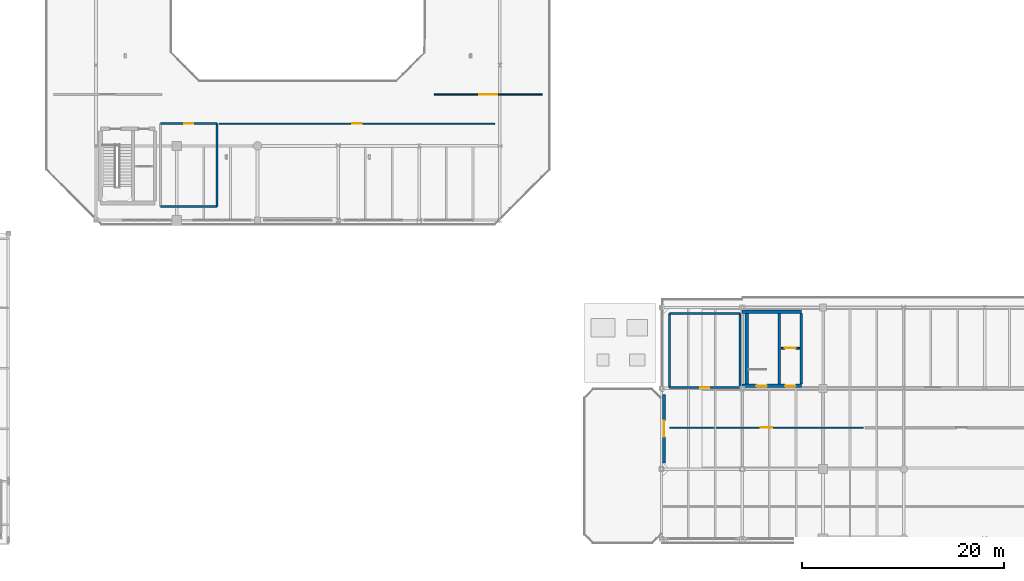
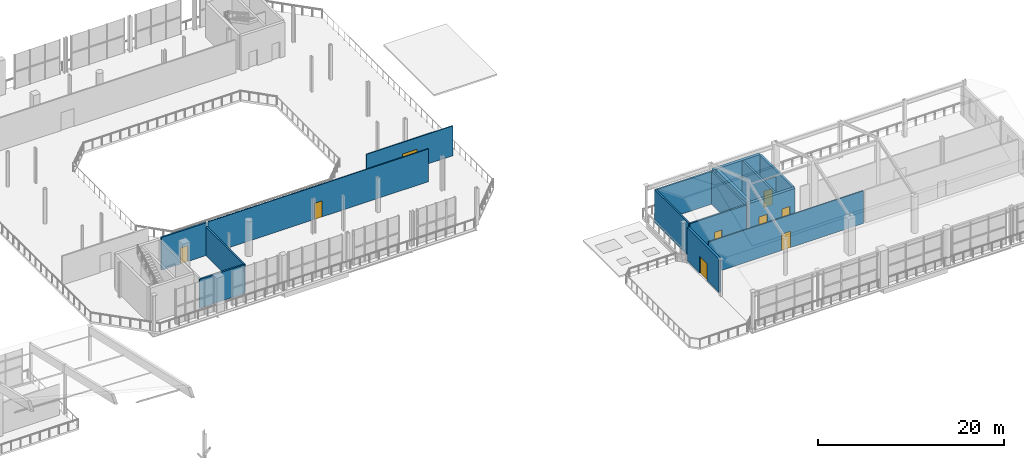
# One storey, part 35 of 51: 17 walls, 9 doors, 9 openings.
"""IFC4 building model written with IfcOpenShell, lengths in metres."""

from ifc_helpers import new_model, si_unit, direction, frame, frame_2d, origin, place, context, subcontext, project, spatial, rectangle, extrude, material, layer, layer_set, type_object, element, fill, save


model = new_model("IFC4")

# Units and contexts
model_context = context("Model", 3, precision=1e-05, world=origin(), true_north=direction((0.0, 1.0)))
body_context = subcontext(model_context, "Body", "Model", "MODEL_VIEW")
ifc_project = project(units=[si_unit("LENGTHUNIT", "METRE"), si_unit("AREAUNIT", "SQUARE_METRE"), si_unit("VOLUMEUNIT", "CUBIC_METRE"), si_unit("PLANEANGLEUNIT", "RADIAN"), si_unit("MASSUNIT", "GRAM", prefix="KILO")], contexts=[model_context])

# Site, building, storey
site_placement = place(None, origin())
site = spatial("IfcSite", under=ifc_project, at=site_placement, CompositionType="ELEMENT")
building_placement = place(site_placement, origin())
building = spatial("IfcBuilding", under=site, at=building_placement, Name="Brisemont Oceanarium", CompositionType="ELEMENT")
storey_placement = place(building_placement, frame((0.0, 0.0, 15.0)))
storey = spatial("IfcBuildingStorey", under=building, at=storey_placement, Name="L03", CompositionType="ELEMENT", Elevation=15.0)

# Wall, opening, door
ifc_material_1 = material(Name="Beaux-Arts Limestone Cladding Precast Concrete C40/50", Category="masonry")
ifc_layer_1 = layer(ifc_material_1, 0.280029296875)
ifc_layer_set_1 = layer_set([ifc_layer_1], Name="Beaux-Arts Limestone Cladding Precast Concrete C40/50")
wall_type_1 = type_object("IfcWallType", Name="EW-LIME-280", PredefinedType="STANDARD", material=ifc_layer_set_1)
wall_1_placement = place(storey_placement, frame((120.25, 8.60009765625, 0.0), z_axis=(0.0, 0.0, 1.0), x_axis=(0.0, 1.0, 0.0)))
wall_1 = element("IfcWall", 1, at=wall_1_placement, inside=storey, type_object=wall_type_1, Name="Beaux-Arts exterior wall EW-V3TER-L03-1", PredefinedType="STANDARD", context=body_context, shape_type="SweptSolid", body=[
    extrude(rectangle(XDim=6.7998046875, YDim=0.280029296875, at=frame_2d((3.39990234375, 0.0))), origin(), (0.0, 0.0, 1.0), 4.39990234375),
])
opening_1_placement = place(wall_1_placement, frame((2.60009765625, 0.0, 0.0)))
opening_1 = element("IfcOpeningElement", 2, at=opening_1_placement, cuts=wall_1, Name="Opening ED-01", PredefinedType="OPENING", context=body_context, shape_type="SweptSolid", body=[
    extrude(rectangle(XDim=1.60009765625, YDim=2.25, at=frame_2d((0.800048828125, 1.125))), frame((0.0, 0.14990234375, 0.0), z_axis=(0.0, -1.0, 0.0), x_axis=(1.0, 0.0, 0.0)), (0.0, 0.0, 1.0), 0.300048828125),
])
ifc_material_2 = material(Name="Anodized Extruded Aluminum 6063-T6", Category="aluminium")
door_type_1 = type_object("IfcDoorType", Name="DR-TER-1600X2250", OperationType="NOTDEFINED", PredefinedType="DOOR", material=ifc_material_2)
door_1_placement = place(opening_1_placement, origin())
door_1 = element("IfcDoor", 3, at=door_1_placement, inside=storey, type_object=door_type_1, Name="ED-01 exterior entrance door 2", OperationType="SINGLE_SWING_LEFT", OverallHeight=2.25, OverallWidth=1.60009765625, PredefinedType="DOOR", context=body_context, shape_type="SweptSolid", body=[
    extrude(rectangle(XDim=1.60009765625, YDim=2.25, at=frame_2d((0.800048828125, 1.125))), frame((0.0, 0.02490234375, 0.0), z_axis=(0.0, -1.0, 0.0), x_axis=(1.0, 0.0, 0.0)), (0.0, 0.0, 1.0), 0.050048828125),
])
fill(opening_1, door_1)

ifc_material_3 = material(Name="Moisture-Resistant Gypsum Steel-Stud Partition", Category="steel")
ifc_layer_2 = layer(ifc_material_3, 0.159912109375)
ifc_layer_set_2 = layer_set([ifc_layer_2], Name="Moisture-Resistant Gypsum Steel-Stud Partition")
wall_type_2 = type_object("IfcWallType", Name="IW-FB-160", PredefinedType="PARTITIONING", material=ifc_layer_set_2)
wall_2_placement = place(storey_placement, frame((131.85009765625, 19.969970703125, 0.0), z_axis=(0.0, 0.0, 1.0), x_axis=(1.0, 0.0, 0.0)))
wall_2 = element("IfcWall", 4, at=wall_2_placement, inside=storey, type_object=wall_type_2, Name="Core C4 L03 lift hoistway front wall", PredefinedType="PARTITIONING", context=body_context, shape_type="SweptSolid", body=[
    extrude(rectangle(XDim=1.83984375, YDim=0.159912109375, at=frame_2d((0.919921875, 0.0))), origin(), (0.0, 0.0, 1.0), 3.60009765625),
])
opening_2_placement = place(wall_2_placement, frame((0.3701171875, 0.0, 0.0)))
opening_2 = element("IfcOpeningElement", 5, at=opening_2_placement, cuts=wall_2, Name="Opening LD-01", PredefinedType="OPENING", context=body_context, shape_type="SweptSolid", body=[
    extrude(rectangle(XDim=1.10009765625, YDim=2.14990234375, at=frame_2d((0.550048828125, 1.074951171875))), frame((0.0, 0.08984375, 0.0), z_axis=(0.0, -1.0, 0.0), x_axis=(1.0, 0.0, 0.0)), (0.0, 0.0, 1.0), 0.179931640625),
])
ifc_material_4 = material(Name="Duplex Stainless Steel EN 1.4462", Category="steel")
door_type_2 = type_object("IfcDoorType", Name="DR-LIFT-1100X2150", OperationType="NOTDEFINED", PredefinedType="DOOR", material=ifc_material_4)
door_2_placement = place(opening_2_placement, origin())
door_2 = element("IfcDoor", 6, at=door_2_placement, inside=storey, type_object=door_type_2, Name="Lift landing door LF-04 L03", OperationType="SLIDING_TO_LEFT", OverallHeight=2.14990234375, OverallWidth=1.10009765625, PredefinedType="DOOR", context=body_context, shape_type="SweptSolid", body=[
    extrude(rectangle(XDim=1.10009765625, YDim=2.14990234375, at=frame_2d((0.550048828125, 1.074951171875))), frame((0.0, 0.02490234375, 0.0), z_axis=(0.0, -1.0, 0.0), x_axis=(1.0, 0.0, 0.0)), (0.0, 0.0, 1.0), 0.050048828125),
])
fill(opening_2, door_2)

ifc_material_5 = material(Name="Moisture-Resistant Gypsum Steel-Stud Partition", Category="steel")
ifc_layer_3 = layer(ifc_material_5, 0.1201171875)
ifc_layer_set_3 = layer_set([ifc_layer_3], Name="Moisture-Resistant Gypsum Steel-Stud Partition")
wall_type_3 = type_object("IfcWallType", Name="IW-PART-120", PredefinedType="PARTITIONING", material=ifc_layer_set_3)
wall_3_placement = place(storey_placement, frame((76.199951171875, 42.199951171875, 0.0), z_axis=(0.0, 0.0, 1.0), x_axis=(1.0, 0.0, 0.0)))
wall_3 = element("IfcWall", 7, at=wall_3_placement, inside=storey, type_object=wall_type_3, Name="Ocean Tank Canopy Panorama Exhibit Gallery corridor partition", PredefinedType="PARTITIONING", context=body_context, shape_type="SweptSolid", body=[
    extrude(rectangle(XDim=27.300048828125, YDim=0.1201171875, at=frame_2d((13.64990234375, 0.0))), origin(), (0.0, 0.0, 1.0), 4.2900390625),
])
opening_3_placement = place(wall_3_placement, frame((13.169921875, 0.0, 0.0)))
opening_3 = element("IfcOpeningElement", 8, at=opening_3_placement, cuts=wall_3, Name="Opening D-02", PredefinedType="OPENING", context=body_context, shape_type="SweptSolid", body=[
    extrude(rectangle(XDim=0.9599609375, YDim=2.10009765625, at=frame_2d((0.47998046875, 1.050048828125))), frame((0.0, 0.070068359375, 0.0), z_axis=(0.0, -1.0, 0.0), x_axis=(1.0, 0.0, 0.0)), (0.0, 0.0, 1.0), 0.14013671875),
])
ifc_material_6 = material(Name="FSC White Oak Solid-Core Fire Door")
door_type_3 = type_object("IfcDoorType", Name="DR-RM-960X2100", OperationType="NOTDEFINED", PredefinedType="DOOR", material=ifc_material_6)
door_3_placement = place(opening_3_placement, origin())
door_3 = element("IfcDoor", 9, at=door_3_placement, inside=storey, type_object=door_type_3, Name="D-02 door to Ocean Tank Canopy Panorama Exhibit Gallery", OperationType="SINGLE_SWING_LEFT", OverallHeight=2.10009765625, OverallWidth=0.9599609375, PredefinedType="DOOR", context=body_context, shape_type="SweptSolid", body=[
    extrude(rectangle(XDim=0.9599609375, YDim=2.10009765625, at=frame_2d((0.47998046875, 1.050048828125))), frame((0.0, 0.02490234375, 0.0), z_axis=(0.0, -1.0, 0.0), x_axis=(1.0, 0.0, 0.0)), (0.0, 0.0, 1.0), 0.050048828125),
])
fill(opening_3, door_3)

wall_4_placement = place(storey_placement, frame((97.5, 45.10009765625, 0.0), z_axis=(0.0, 0.0, 1.0), x_axis=(1.0, 0.0, 0.0)))
wall_4 = element("IfcWall", 10, at=wall_4_placement, inside=storey, type_object=wall_type_3, Name="Marine Cartography History Exhibit Gallery corridor partition", PredefinedType="PARTITIONING", context=body_context, shape_type="SweptSolid", body=[
    extrude(rectangle(XDim=10.699951171875, YDim=0.1201171875, at=frame_2d((5.35009765625, 0.0))), origin(), (0.0, 0.0, 1.0), 3.91796875),
])
opening_4_placement = place(wall_4_placement, frame((4.449951171875, 0.0, 0.0)))
opening_4 = element("IfcOpeningElement", 11, at=opening_4_placement, cuts=wall_4, Name="Opening GD-01", PredefinedType="OPENING", context=body_context, shape_type="SweptSolid", body=[
    extrude(rectangle(XDim=1.800048828125, YDim=2.39990234375, at=frame_2d((0.89990234375, 1.199951171875))), frame((0.0, 0.070068359375, 0.0), z_axis=(0.0, -1.0, 0.0), x_axis=(1.0, 0.0, 0.0)), (0.0, 0.0, 1.0), 0.14013671875),
])
ifc_material_7 = material(Name="Patinated Architectural Bronze C38500")
door_type_4 = type_object("IfcDoorType", Name="DR-GAL-1800X2400", OperationType="NOTDEFINED", PredefinedType="DOOR", material=ifc_material_7)
door_4_placement = place(opening_4_placement, origin())
door_4 = element("IfcDoor", 12, at=door_4_placement, inside=storey, type_object=door_type_4, Name="GD-01 door to Marine Cartography History Exhibit Gallery", OperationType="SINGLE_SWING_LEFT", OverallHeight=2.39990234375, OverallWidth=1.800048828125, PredefinedType="DOOR", context=body_context, shape_type="SweptSolid", body=[
    extrude(rectangle(XDim=1.800048828125, YDim=2.39990234375, at=frame_2d((0.89990234375, 1.199951171875))), frame((0.0, 0.02490234375, 0.0), z_axis=(0.0, -1.0, 0.0), x_axis=(1.0, 0.0, 0.0)), (0.0, 0.0, 1.0), 0.050048828125),
])
fill(opening_4, door_4)

wall_5_placement = place(storey_placement, frame((120.800048828125, 12.10009765625, 0.0), z_axis=(0.0, 0.0, 1.0), x_axis=(1.0, 0.0, 0.0)))
wall_5 = element("IfcWall", 13, at=wall_5_placement, inside=storey, type_object=wall_type_3, Name="Education Centre Marine Periodicals Reading Hall corridor partition", PredefinedType="PARTITIONING", context=body_context, shape_type="SweptSolid", body=[
    extrude(rectangle(XDim=19.199951171875, YDim=0.1201171875, at=frame_2d((9.60009765625, 0.0))), origin(), (0.0, 0.0, 1.0), 4.2900390625),
])
opening_5_placement = place(wall_5_placement, frame((9.0400390625, 0.0, 0.0)))
opening_5 = element("IfcOpeningElement", 14, at=opening_5_placement, cuts=wall_5, Name="Opening LB-03", PredefinedType="OPENING", context=body_context, shape_type="SweptSolid", body=[
    extrude(rectangle(XDim=1.1201171875, YDim=2.14990234375, at=frame_2d((0.56005859375, 1.074951171875))), frame((0.0, 0.070068359375, 0.0), z_axis=(0.0, -1.0, 0.0), x_axis=(1.0, 0.0, 0.0)), (0.0, 0.0, 1.0), 0.14013671875),
])
ifc_material_8 = material(Name="Duplex Stainless Steel EN 1.4462", Category="steel")
door_type_5 = type_object("IfcDoorType", Name="DR-LAB-1120X2150", OperationType="NOTDEFINED", PredefinedType="DOOR", material=ifc_material_8)
door_5_placement = place(opening_5_placement, origin())
door_5 = element("IfcDoor", 15, at=door_5_placement, inside=storey, type_object=door_type_5, Name="LB-03 door to Education Centre Marine Periodicals Reading Hall", OperationType="SINGLE_SWING_LEFT", OverallHeight=2.14990234375, OverallWidth=1.1201171875, PredefinedType="DOOR", context=body_context, shape_type="SweptSolid", body=[
    extrude(rectangle(XDim=1.1201171875, YDim=2.14990234375, at=frame_2d((0.56005859375, 1.074951171875))), frame((0.0, 0.02490234375, 0.0), z_axis=(0.0, -1.0, 0.0), x_axis=(1.0, 0.0, 0.0)), (0.0, 0.0, 1.0), 0.050048828125),
])
fill(opening_5, door_5)

ifc_material_9 = material(Name="Cementitious Tile-Backer Plumbing Wall")
ifc_layer_4 = layer(ifc_material_9, 0.199951171875)
ifc_layer_set_4 = layer_set([ifc_layer_4], Name="Cementitious Tile-Backer Plumbing Wall")
wall_type_4 = type_object("IfcWallType", Name="IW-PLUMB-200", PredefinedType="PLUMBINGWALL", material=ifc_layer_set_4)
wall_6_placement = place(storey_placement, frame((70.39990234375, 42.199951171875, 0.0), z_axis=(0.0, 0.0, 1.0), x_axis=(1.0, 0.0, 0.0)))
wall_6 = element("IfcWall", 16, at=wall_6_placement, inside=storey, type_object=wall_type_4, Name="Accessible WC corridor partition", PredefinedType="PLUMBINGWALL", context=body_context, shape_type="SweptSolid", body=[
    extrude(rectangle(XDim=5.60009765625, YDim=0.199951171875, at=frame_2d((2.800048828125, 0.0))), origin(), (0.0, 0.0, 1.0), 4.2900390625),
])
opening_6_placement = place(wall_6_placement, frame((2.344970703125, 0.0, 0.0)))
opening_6 = element("IfcOpeningElement", 17, at=opening_6_placement, cuts=wall_6, Name="Opening D-03", PredefinedType="OPENING", context=body_context, shape_type="SweptSolid", body=[
    extrude(rectangle(XDim=0.909912109375, YDim=2.10009765625, at=frame_2d((0.455078125, 1.050048828125))), frame((0.0, 0.10986328125, 0.0), z_axis=(0.0, -1.0, 0.0), x_axis=(1.0, 0.0, 0.0)), (0.0, 0.0, 1.0), 0.219970703125),
])
ifc_material_10 = material(Name="FSC White Oak Solid-Core Fire Door")
door_type_6 = type_object("IfcDoorType", Name="DR-WC-910X2100", OperationType="NOTDEFINED", PredefinedType="DOOR", material=ifc_material_10)
door_6_placement = place(opening_6_placement, origin())
door_6 = element("IfcDoor", 18, at=door_6_placement, inside=storey, type_object=door_type_6, Name="D-03 door to Accessible WC", OperationType="SINGLE_SWING_RIGHT", OverallHeight=2.10009765625, OverallWidth=0.909912109375, PredefinedType="DOOR", context=body_context, shape_type="SweptSolid", body=[
    extrude(rectangle(XDim=0.909912109375, YDim=2.10009765625, at=frame_2d((0.455078125, 1.050048828125))), frame((0.0, 0.02490234375, 0.0), z_axis=(0.0, -1.0, 0.0), x_axis=(1.0, 0.0, 0.0)), (0.0, 0.0, 1.0), 0.050048828125),
])
fill(opening_6, door_6)

# Walls
wall_7_placement = place(storey_placement, frame((70.39990234375, 34.0, 0.0), z_axis=(0.0, 0.0, 1.0), x_axis=(1.0, 0.0, 0.0)))
element("IfcWall", 19, at=wall_7_placement, inside=storey, type_object=wall_type_4, Name="Accessible WC enclosure wall S", PredefinedType="PLUMBINGWALL", context=body_context, shape_type="SweptSolid", body=[
    extrude(rectangle(XDim=5.60009765625, YDim=0.199951171875, at=frame_2d((2.800048828125, 0.0))), origin(), (0.0, 0.0, 1.0), 3.76708984375),
])
wall_8_placement = place(storey_placement, frame((76.0, 34.0, 0.0), z_axis=(0.0, 0.0, 1.0), x_axis=(0.0, 1.0, 0.0)))
element("IfcWall", 20, at=wall_8_placement, inside=storey, type_object=wall_type_4, Name="Accessible WC enclosure wall E", PredefinedType="PLUMBINGWALL", context=body_context, shape_type="SweptSolid", body=[
    extrude(rectangle(XDim=8.199951171875, YDim=0.199951171875, at=frame_2d((4.10009765625, 0.0))), origin(), (0.0, 0.0, 1.0), 3.758056640625),
])

# Wall, opening, door
wall_9_placement = place(storey_placement, frame((120.800048828125, 16.10009765625, 0.0), z_axis=(0.0, 0.0, 1.0), x_axis=(1.0, 0.0, 0.0)))
wall_9 = element("IfcWall", 21, at=wall_9_placement, inside=storey, type_object=wall_type_4, Name="Accessible WC corridor partition", PredefinedType="PLUMBINGWALL", context=body_context, shape_type="SweptSolid", body=[
    extrude(rectangle(XDim=7.0, YDim=0.199951171875, at=frame_2d((3.5, 0.0))), origin(), (0.0, 0.0, 1.0), 4.2900390625),
])
opening_7_placement = place(wall_9_placement, frame((3.044921875, 0.0, 0.0)))
opening_7 = element("IfcOpeningElement", 22, at=opening_7_placement, cuts=wall_9, Name="Opening D-03", PredefinedType="OPENING", context=body_context, shape_type="SweptSolid", body=[
    extrude(rectangle(XDim=0.909912109375, YDim=2.10009765625, at=frame_2d((0.455078125, 1.050048828125))), frame((0.0, 0.10986328125, 0.0), z_axis=(0.0, -1.0, 0.0), x_axis=(1.0, 0.0, 0.0)), (0.0, 0.0, 1.0), 0.219970703125),
])
door_7_placement = place(opening_7_placement, origin())
door_7 = element("IfcDoor", 23, at=door_7_placement, inside=storey, type_object=door_type_6, Name="D-03 door to Accessible WC", OperationType="SINGLE_SWING_LEFT", OverallHeight=2.10009765625, OverallWidth=0.909912109375, PredefinedType="DOOR", context=body_context, shape_type="SweptSolid", body=[
    extrude(rectangle(XDim=0.909912109375, YDim=2.10009765625, at=frame_2d((0.455078125, 1.050048828125))), frame((0.0, 0.02490234375, 0.0), z_axis=(0.0, -1.0, 0.0), x_axis=(1.0, 0.0, 0.0)), (0.0, 0.0, 1.0), 0.050048828125),
])
fill(opening_7, door_7)

# Walls
wall_10_placement = place(storey_placement, frame((120.800048828125, 23.39990234375, 0.0), z_axis=(0.0, 0.0, 1.0), x_axis=(1.0, 0.0, 0.0)))
element("IfcWall", 24, at=wall_10_placement, inside=storey, type_object=wall_type_4, Name="Accessible WC enclosure wall N", PredefinedType="PLUMBINGWALL", context=body_context, shape_type="SweptSolid", body=[
    extrude(rectangle(XDim=7.0, YDim=0.199951171875, at=frame_2d((3.5, 0.0))), origin(), (0.0, 0.0, 1.0), 4.2900390625),
])
for number, where, z_axis, x_axis, name in (
    (25, (120.800048828125, 16.10009765625, 0.0), (0.0, 0.0, 1.0), (0.0, 1.0, 0.0), "Accessible WC enclosure wall W"),
    (26, (127.800048828125, 16.10009765625, 0.0), (0.0, 0.0, 1.0), (0.0, 1.0, 0.0), "Accessible WC enclosure wall E"),
):
    element("IfcWall", number, at=place(storey_placement, frame(where, z_axis=z_axis, x_axis=x_axis)), inside=storey, type_object=wall_type_4, Name=name, PredefinedType="PLUMBINGWALL", context=body_context, shape_type="SweptSolid", body=[
        extrude(rectangle(XDim=7.2998046875, YDim=0.199951171875, at=frame_2d((3.64990234375, 0.0))), origin(), (0.0, 0.0, 1.0), 4.2900390625),
    ])
ifc_material_11 = material(Name="Concrete C40/50", Category="concrete")
ifc_layer_5 = layer(ifc_material_11, 0.260009765625)
ifc_layer_set_5 = layer_set([ifc_layer_5], Name="Concrete C40/50")
wall_type_5 = type_object("IfcWallType", Name="SW-SHAFT-260", PredefinedType="SHEAR", material=ifc_layer_set_5)
for number, where, z_axis, x_axis, name in (
    (27, (133.85009765625, 16.449951171875, 0.0), (0.0, 0.0, 1.0), (0.0, 1.0, 0.0), "Core C4 L03 E RC shear wall"),
    (28, (131.669921875, 16.449951171875, 0.0), (0.0, 0.0, 1.0), (0.0, 1.0, 0.0), "Core C4 L03 MID RC shear wall"),
):
    element("IfcWall", number, at=place(storey_placement, frame(where, z_axis=z_axis, x_axis=x_axis)), inside=storey, type_object=wall_type_5, Name=name, PredefinedType="SHEAR", context=body_context, shape_type="SweptSolid", body=[
        extrude(rectangle(XDim=6.949951171875, YDim=0.260009765625, at=frame_2d((3.47509765625, 0.0))), origin(), (0.0, 0.0, 1.0), 4.300048828125),
    ])

# Wall, openings, doors
ifc_material_12 = material(Name="Concrete C40/50", Category="concrete")
ifc_layer_6 = layer(ifc_material_12, 0.35009765625)
ifc_layer_set_6 = layer_set([ifc_layer_6], Name="Concrete C40/50")
wall_type_6 = type_object("IfcWallType", Name="SW-STAIR-350", PredefinedType="SHEAR", material=ifc_layer_set_6)
wall_11_placement = place(storey_placement, frame((128.0, 16.25, 0.0), z_axis=(0.0, 0.0, 1.0), x_axis=(1.0, 0.0, 0.0)))
wall_11 = element("IfcWall", 29, at=wall_11_placement, inside=storey, type_object=wall_type_6, Name="Core C4 L03 corridor RC shear wall", PredefinedType="SHEAR", context=body_context, shape_type="SweptSolid", body=[
    extrude(rectangle(XDim=5.85009765625, YDim=0.35009765625, at=frame_2d((2.925048828125, 0.0))), origin(), (0.0, 0.0, 1.0), 4.300048828125),
])
opening_8_placement = place(wall_11_placement, frame((1.39990234375, 0.0, 0.0)))
opening_8 = element("IfcOpeningElement", 30, at=opening_8_placement, cuts=wall_11, Name="Opening SD-02", PredefinedType="OPENING", context=body_context, shape_type="SweptSolid", body=[
    extrude(rectangle(XDim=1.050048828125, YDim=2.10009765625, at=frame_2d((0.52490234375, 1.050048828125))), frame((0.0, 0.18505859375, 0.0), z_axis=(0.0, -1.0, 0.0), x_axis=(1.0, 0.0, 0.0)), (0.0, 0.0, 1.0), 0.3701171875),
])
opening_9_placement = place(wall_11_placement, frame((4.25, 0.0, 0.0)))
opening_9 = element("IfcOpeningElement", 31, at=opening_9_placement, cuts=wall_11, Name="Opening FD90-2", PredefinedType="OPENING", context=body_context, shape_type="SweptSolid", body=[
    extrude(rectangle(XDim=1.0, YDim=2.14990234375, at=frame_2d((0.5, 1.074951171875))), frame((0.0, 0.18505859375, 0.0), z_axis=(0.0, -1.0, 0.0), x_axis=(1.0, 0.0, 0.0)), (0.0, 0.0, 1.0), 0.3701171875),
])
ifc_material_13 = material(Name="FSC White Oak Solid-Core Fire Door")
door_type_7 = type_object("IfcDoorType", Name="DR-LOB-1000X2150", OperationType="NOTDEFINED", PredefinedType="DOOR", material=ifc_material_13)
door_8_placement = place(opening_9_placement, origin())
door_8 = element("IfcDoor", 32, at=door_8_placement, inside=storey, type_object=door_type_7, Name="Lift lobby door C4 L03", OperationType="SINGLE_SWING_LEFT", OverallHeight=2.14990234375, OverallWidth=1.0, PredefinedType="DOOR", context=body_context, shape_type="SweptSolid", body=[
    extrude(rectangle(XDim=1.0, YDim=2.14990234375, at=frame_2d((0.5, 1.074951171875))), frame((0.0, 0.02490234375, 0.0), z_axis=(0.0, -1.0, 0.0), x_axis=(1.0, 0.0, 0.0)), (0.0, 0.0, 1.0), 0.050048828125),
])
fill(opening_9, door_8)
ifc_material_14 = material(Name="Duplex Stainless Steel EN 1.4462", Category="steel")
door_type_8 = type_object("IfcDoorType", Name="DR-STAIR-1050X2100", OperationType="NOTDEFINED", PredefinedType="DOOR", material=ifc_material_14)
door_9_placement = place(opening_8_placement, origin())
door_9 = element("IfcDoor", 33, at=door_9_placement, inside=storey, type_object=door_type_8, Name="Exit stair door ST-04 L03", OperationType="SINGLE_SWING_RIGHT", OverallHeight=2.10009765625, OverallWidth=1.050048828125, PredefinedType="DOOR", context=body_context, shape_type="SweptSolid", body=[
    extrude(rectangle(XDim=1.050048828125, YDim=2.10009765625, at=frame_2d((0.52490234375, 1.050048828125))), frame((0.0, 0.02490234375, 0.0), z_axis=(0.0, -1.0, 0.0), x_axis=(1.0, 0.0, 0.0)), (0.0, 0.0, 1.0), 0.050048828125),
])
fill(opening_8, door_9)

# Walls
wall_12_placement = place(storey_placement, frame((128.0, 23.60009765625, 0.0), z_axis=(0.0, 0.0, 1.0), x_axis=(1.0, 0.0, 0.0)))
element("IfcWall", 34, at=wall_12_placement, inside=storey, type_object=wall_type_6, Name="Core C4 L03 BCK RC shear wall", PredefinedType="SHEAR", context=body_context, shape_type="SweptSolid", body=[
    extrude(rectangle(XDim=5.85009765625, YDim=0.35009765625, at=frame_2d((2.925048828125, 0.0))), origin(), (0.0, 0.0, 1.0), 4.300048828125),
])
wall_13_placement = place(storey_placement, frame((128.449951171875, 16.449951171875, 0.0), z_axis=(0.0, 0.0, 1.0), x_axis=(0.0, 1.0, 0.0)))
element("IfcWall", 35, at=wall_13_placement, inside=storey, type_object=wall_type_6, Name="Core C4 L03 W RC shear wall", PredefinedType="SHEAR", context=body_context, shape_type="SweptSolid", body=[
    extrude(rectangle(XDim=6.949951171875, YDim=0.35009765625, at=frame_2d((3.47509765625, 0.0))), origin(), (0.0, 0.0, 1.0), 4.300048828125),
])

save(model, "model.ifc")
